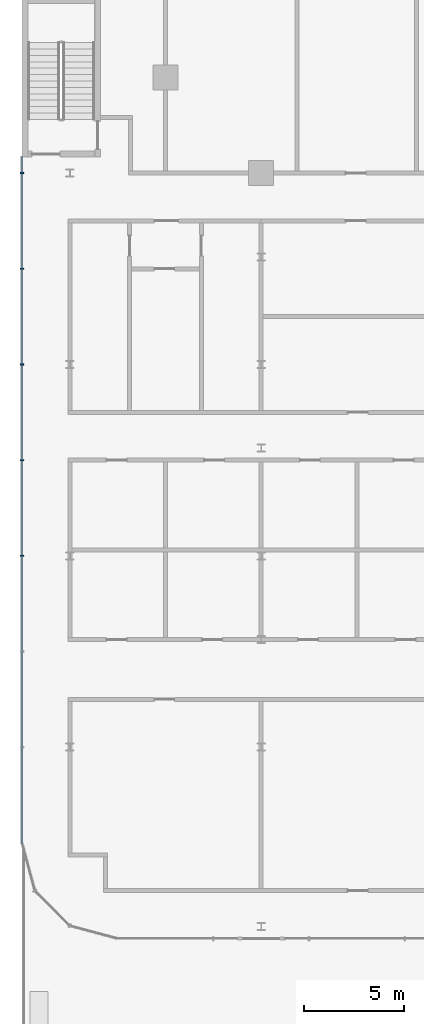
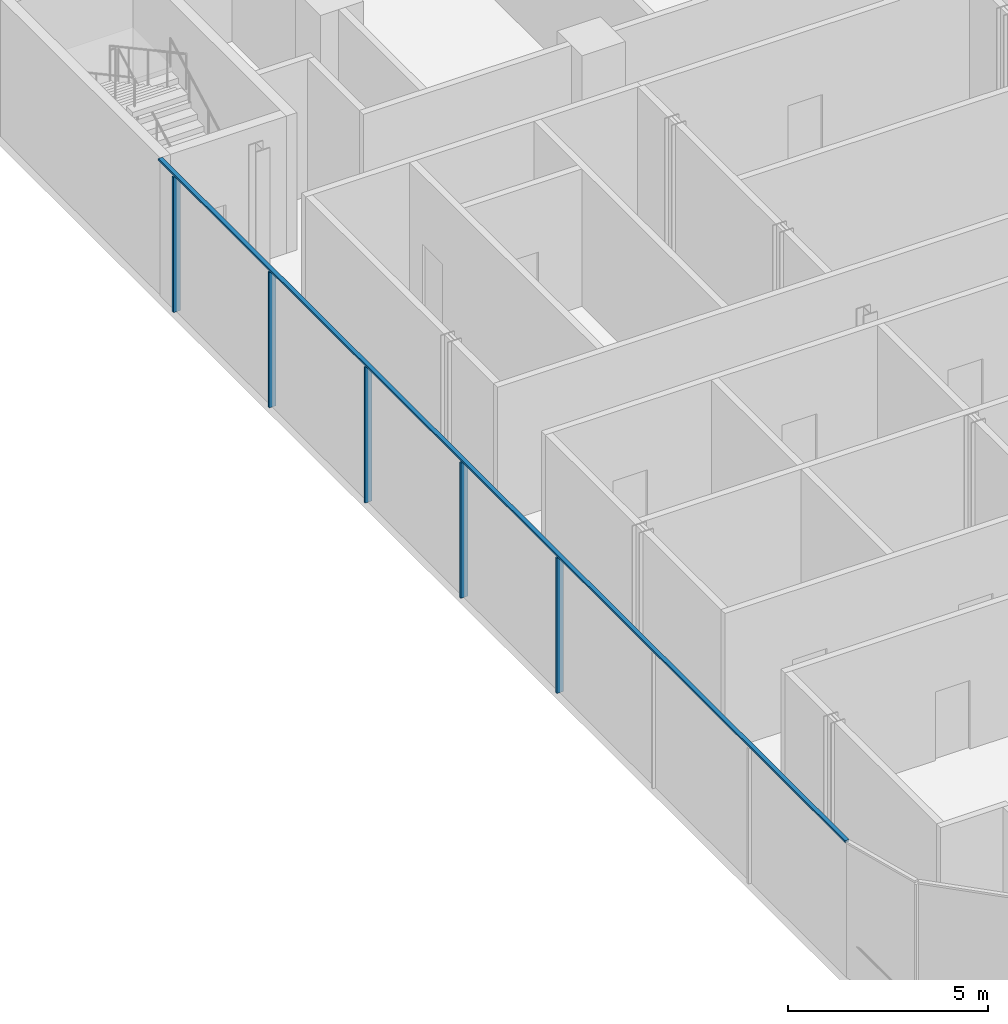
# One storey, part 10 of 45: 6 members, 1 element without a shape of its own.
"""IFC4 building model written with IfcOpenShell, lengths in metres."""

from ifc_helpers import new_model, si_unit, direction, frame, origin, origin_2d, place, context, subcontext, project, spatial, rectangle, extrude, material, layer, layer_set, material_profile, profile_set, type_object, element, aggregate, save


model = new_model("IFC4")

# Units and contexts
model_context = context("Model", 3, precision=1e-05, world=origin(), true_north=direction((0.0, 1.0)))
body_context = subcontext(model_context, "Body", "Model", "MODEL_VIEW")
ifc_project = project(units=[si_unit("LENGTHUNIT", "METRE"), si_unit("AREAUNIT", "SQUARE_METRE"), si_unit("VOLUMEUNIT", "CUBIC_METRE"), si_unit("PLANEANGLEUNIT", "RADIAN"), si_unit("MASSUNIT", "GRAM", prefix="KILO")], contexts=[model_context])

# Site, building, storey
site_placement = place(None, origin())
site = spatial("IfcSite", under=ifc_project, at=site_placement, CompositionType="ELEMENT")
building_placement = place(site_placement, origin())
building = spatial("IfcBuilding", under=site, at=building_placement, Name="Madar Terraces", CompositionType="ELEMENT")
storey_placement = place(building_placement, frame((0.0, 0.0, 6.0)))
storey = spatial("IfcBuildingStorey", under=building, at=storey_placement, Name="L01", CompositionType="ELEMENT", Elevation=6.0)

# Curtain wall, members
ifc_material_1 = material(Name="Glass, clear low-iron, with black aluminium frame", Category="aluminium")
ifc_layer = layer(ifc_material_1, 0.199951171875)
ifc_layer_set = layer_set([ifc_layer], Name="Facade curtain wall, shopfront glazing")
curtain_wall_type = type_object("IfcCurtainWallType", Name="Facade curtain wall, shopfront glazing", PredefinedType="NOTDEFINED", material=ifc_layer_set)
curtain_wall_placement = place(storey_placement, origin())
curtain_wall = element("IfcCurtainWall", 1, at=curtain_wall_placement, inside=storey, type_object=curtain_wall_type, Name="Outer skin curtain wall west bay 1", PredefinedType="NOTDEFINED")
ifc_material_2 = material(Name="Aluminium, black anodised", Category="aluminium")
ifc_material_profile_1 = material_profile(ifc_material_2, rectangle(XDim=0.199951171875, YDim=0.06005859375, at=origin_2d()), Name="Facade mullion 60x200")
ifc_profile_set_1 = profile_set([ifc_material_profile_1], Name="Aluminium, black anodised")
member_type_1 = type_object("IfcMemberType", Name="Facade mullion 60x200", PredefinedType="MULLION", material=ifc_profile_set_1)
member_1_placement = place(storey_placement, frame((-7.199951171875, 0.0, 0.0), z_axis=(0.0, 0.0, 1.0), x_axis=(1.0, 0.0, 0.0)))
member_1 = element("IfcMember", 2, at=member_1_placement, type_object=member_type_1, Name="Mullion 10", PredefinedType="MULLION", context=body_context, shape_type="SweptSolid", body=[
    extrude(rectangle(XDim=0.199951171875, YDim=0.06005859375, at=origin_2d()), origin(), (0.0, 0.0, 1.0), 4.139892578125),
])
member_2_placement = place(storey_placement, frame((-7.199951171875, -4.800048828125, 0.0), z_axis=(0.0, 0.0, 1.0), x_axis=(1.0, 0.0, 0.0)))
member_2 = element("IfcMember", 3, at=member_2_placement, type_object=member_type_1, Name="Mullion 11", PredefinedType="MULLION", context=body_context, shape_type="SweptSolid", body=[
    extrude(rectangle(XDim=0.199951171875, YDim=0.06005859375, at=origin_2d()), origin(), (0.0, 0.0, 1.0), 4.139892578125),
])
member_3_placement = place(storey_placement, frame((-7.199951171875, -9.60009765625, 0.0), z_axis=(0.0, 0.0, 1.0), x_axis=(1.0, 0.0, 0.0)))
member_3 = element("IfcMember", 4, at=member_3_placement, type_object=member_type_1, Name="Mullion 12", PredefinedType="MULLION", context=body_context, shape_type="SweptSolid", body=[
    extrude(rectangle(XDim=0.199951171875, YDim=0.06005859375, at=origin_2d()), origin(), (0.0, 0.0, 1.0), 4.139892578125),
])
member_4_placement = place(storey_placement, frame((-7.199951171875, -14.39990234375, 0.0), z_axis=(0.0, 0.0, 1.0), x_axis=(1.0, 0.0, 0.0)))
member_4 = element("IfcMember", 5, at=member_4_placement, type_object=member_type_1, Name="Mullion 13", PredefinedType="MULLION", context=body_context, shape_type="SweptSolid", body=[
    extrude(rectangle(XDim=0.199951171875, YDim=0.06005859375, at=origin_2d()), origin(), (0.0, 0.0, 1.0), 4.139892578125),
])
member_5_placement = place(storey_placement, frame((-7.199951171875, -19.199951171875, 0.0), z_axis=(0.0, 0.0, 1.0), x_axis=(1.0, 0.0, 0.0)))
member_5 = element("IfcMember", 6, at=member_5_placement, type_object=member_type_1, Name="Mullion 14", PredefinedType="MULLION", context=body_context, shape_type="SweptSolid", body=[
    extrude(rectangle(XDim=0.199951171875, YDim=0.06005859375, at=origin_2d()), origin(), (0.0, 0.0, 1.0), 4.139892578125),
])
ifc_material_3 = material(Name="Aluminium, black anodised", Category="aluminium")
ifc_material_profile_2 = material_profile(ifc_material_3, rectangle(XDim=0.1201171875, YDim=0.06005859375, at=origin_2d()), Name="Facade transom 60x120")
ifc_profile_set_2 = profile_set([ifc_material_profile_2], Name="Aluminium, black anodised")
member_type_2 = type_object("IfcMemberType", Name="Facade transom 60x120", PredefinedType="USERDEFINED", material=ifc_profile_set_2)
member_6_placement = place(storey_placement, frame((-7.199951171875, 0.800048828125, 4.169921875), z_axis=(0.0, -1.0, 0.0), x_axis=(1.0, 0.0, 0.0)))
member_6 = element("IfcMember", 7, at=member_6_placement, type_object=member_type_2, Name="Transom 2", ObjectType="TRANSOM", PredefinedType="USERDEFINED", context=body_context, shape_type="SweptSolid", body=[
    extrude(rectangle(XDim=0.1201171875, YDim=0.06005859375, at=origin_2d()), origin(), (0.0, 0.0, 1.0), 34.400146484375),
])
aggregate(curtain_wall, [member_1, member_2, member_3, member_4, member_5, member_6])

save(model, "model.ifc")
